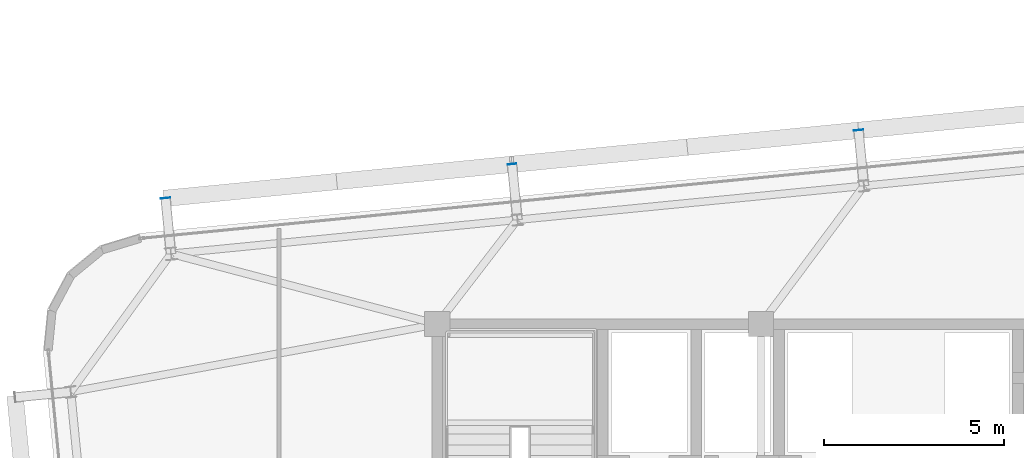
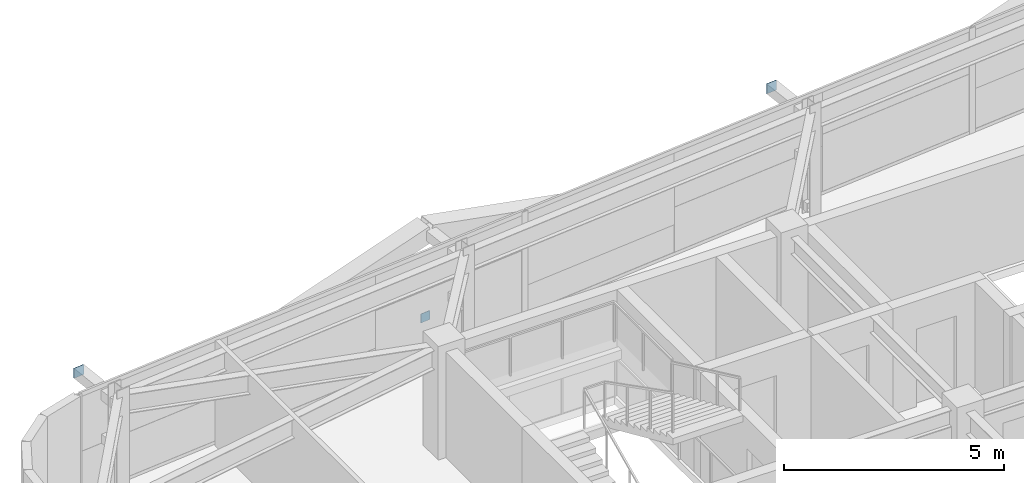
# One storey, part 38 of 47: 3 plates.
"""IFC4 building model written with IfcOpenShell, lengths in metres."""

from ifc_helpers import new_model, si_unit, direction, frame, origin, origin_2d, place, context, subcontext, project, spatial, rectangle, extrude, source, transform, mapped, material, layer, layer_set, type_object, element, save


model = new_model("IFC4")

# Units and contexts
model_context = context("Model", 3, precision=1e-05, world=origin(), true_north=direction((0.0, 1.0)))
body_context = subcontext(model_context, "Body", "Model", "MODEL_VIEW")
ifc_project = project(units=[si_unit("LENGTHUNIT", "METRE"), si_unit("AREAUNIT", "SQUARE_METRE"), si_unit("VOLUMEUNIT", "CUBIC_METRE"), si_unit("PLANEANGLEUNIT", "RADIAN"), si_unit("MASSUNIT", "GRAM", prefix="KILO")], contexts=[model_context])

# Site, building, storey
site_placement = place(None, origin())
site = spatial("IfcSite", under=ifc_project, at=site_placement, CompositionType="ELEMENT")
building_placement = place(site_placement, origin())
building = spatial("IfcBuilding", under=site, at=building_placement, Name="Taldren Reach Tower", CompositionType="ELEMENT")
storey_placement = place(building_placement, frame((0.0, 0.0, 87.14990234375)))
storey = spatial("IfcBuildingStorey", under=building, at=storey_placement, Name="L26", CompositionType="ELEMENT", Elevation=87.14990234375)

# Plates
ifc_material_1 = material(Name="Steel Gr 450 (C450L0)", Category="steel")
ifc_layer_1 = layer(ifc_material_1, 0.011962890625)
ifc_layer_set_1 = layer_set([ifc_layer_1], Name="Steel Gr 450 (C450L0)")
plate_type_1 = type_object("IfcPlateType", Name="PL-CAP-275", PredefinedType="SHEET", material=ifc_layer_set_1)
shared_shape_1 = source(origin(), body_context, "Body", "SweptSolid", [
    extrude(rectangle(XDim=0.27490234375, YDim=0.011962890625, at=origin_2d()), origin(), (0.0, 0.0, 1.0), 0.27490234375),
])
for number, where, z_axis, x_axis, name in (
    (1, (11.445068359375, 35.50537109375, 2.5126953125), (0.0, 0.0, 1.0), (0.995227399982, 0.097582899759, 0.0), "Tie strut end cap plate B2-N1 L26"),
    (2, (30.712646484375, 37.394775390625, 2.5126953125), (0.0, 0.0, 1.0), (0.995227399982, 0.097582899759, 0.0), "Tie strut end cap plate B2-N3 L26"),
):
    element("IfcPlate", number, at=place(storey_placement, frame(where, z_axis=z_axis, x_axis=x_axis)), inside=storey, type_object=plate_type_1, Name=name, PredefinedType="SHEET", context=body_context, shape_type="MappedRepresentation", body=[
        mapped(shared_shape_1, transform((0.0, 0.0, 0.0), scale=1.0)),
    ])
ifc_material_2 = material(Name="Steel Gr 350 (C350L0)", Category="steel")
ifc_layer_2 = layer(ifc_material_2, 0.011962890625)
ifc_layer_set_2 = layer_set([ifc_layer_2], Name="Steel Gr 350 (C350L0)")
plate_type_2 = type_object("IfcPlateType", Name="PL-CAP-250", PredefinedType="SHEET", material=ifc_layer_set_2)
shared_shape_2 = source(origin(), body_context, "Body", "SweptSolid", [
    extrude(rectangle(XDim=0.25, YDim=0.011962890625, at=origin_2d()), origin(), (0.0, 0.0, 1.0), 0.25),
])
plate_placement = place(storey_placement, frame((21.078857421875, 36.449951171875, 0.09521484375), z_axis=(0.0, 0.0, 1.0), x_axis=(0.995227399982, 0.097582899759, 0.0)))
element("IfcPlate", 3, at=plate_placement, inside=storey, type_object=plate_type_2, Name="Tie strut end cap plate B2-N2 L26", PredefinedType="SHEET", context=body_context, shape_type="MappedRepresentation", body=[
    mapped(shared_shape_2, transform((0.0, 0.0, 0.0), scale=1.0)),
])

save(model, "model.ifc")
